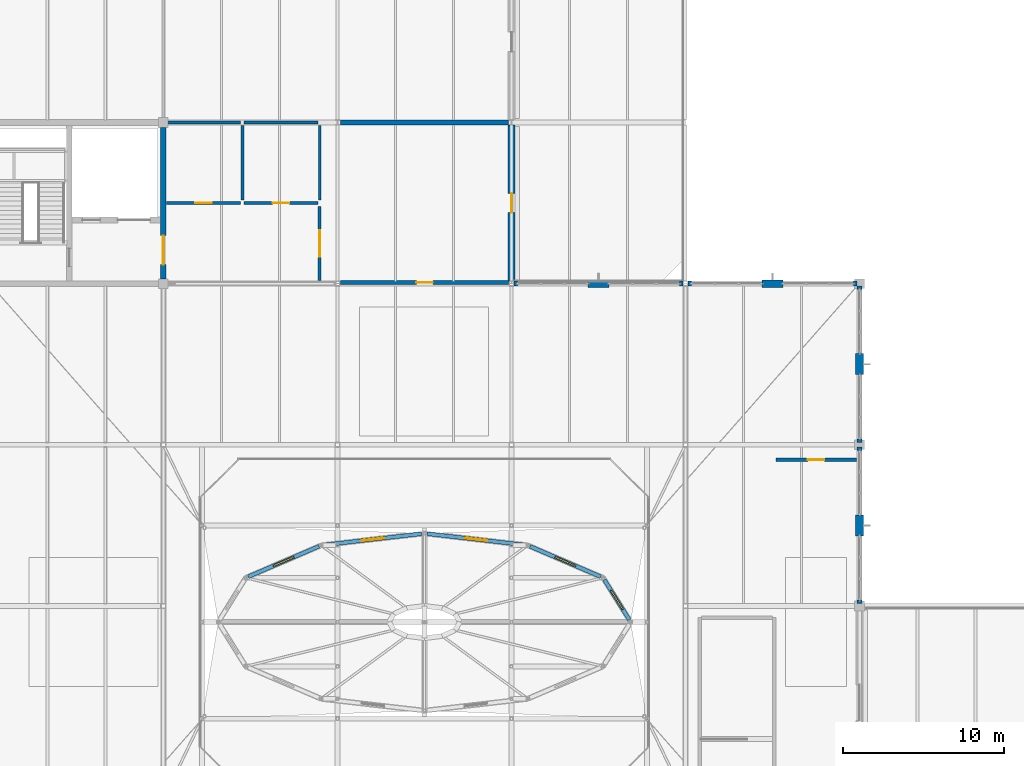
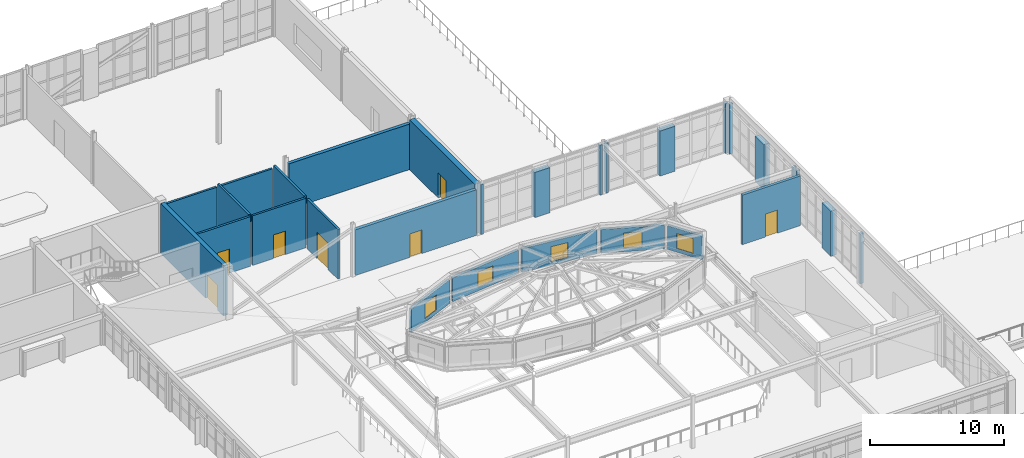
# One storey, part 76 of 86: 29 walls, 7 doors, 5 windows, 12 openings.
"""IFC4 building model written with IfcOpenShell, lengths in metres."""

from ifc_helpers import new_model, si_unit, direction, frame, frame_2d, origin, place, context, subcontext, project, spatial, rectangle, extrude, material, layer, layer_set, type_object, element, fill, save


model = new_model("IFC4")

# Units and contexts
model_context = context("Model", 3, precision=1e-05, world=origin(), true_north=direction((0.0, 1.0)))
body_context = subcontext(model_context, "Body", "Model", "MODEL_VIEW")
ifc_project = project(units=[si_unit("LENGTHUNIT", "METRE"), si_unit("AREAUNIT", "SQUARE_METRE"), si_unit("VOLUMEUNIT", "CUBIC_METRE"), si_unit("PLANEANGLEUNIT", "RADIAN"), si_unit("MASSUNIT", "GRAM", prefix="KILO")], contexts=[model_context])

# Site, building, storey
site_placement = place(None, origin())
site = spatial("IfcSite", under=ifc_project, at=site_placement, CompositionType="ELEMENT")
building_placement = place(site_placement, origin())
building = spatial("IfcBuilding", under=site, at=building_placement, Name="Tasgan Crest Museum", CompositionType="ELEMENT")
storey_placement = place(building_placement, frame((0.0, 0.0, 24.0)))
storey = spatial("IfcBuildingStorey", under=building, at=storey_placement, Name="L04", CompositionType="ELEMENT", Elevation=24.0)

# Wall, opening, door
ifc_material_1 = material(Name="Concrete C40/50", Category="concrete")
ifc_layer_1 = layer(ifc_material_1, 0.35009765625, Name="WL-CORE-350")
ifc_layer_set_1 = layer_set([ifc_layer_1], Name="Concrete C40/50")
wall_type_1 = type_object("IfcWallType", Name="WL-CORE-350", PredefinedType="SHEAR", material=ifc_layer_set_1)
wall_1_placement = place(storey_placement, frame((64.800048828125, 82.300048828125, 0.0), z_axis=(0.0, 0.0, 1.0), x_axis=(0.0, 1.0, 0.0)))
wall_1 = element("IfcWall", 1, at=wall_1_placement, inside=storey, type_object=wall_type_1, Name="North-Central Sawtooth Core east shear wall L04", PredefinedType="SHEAR", context=body_context, shape_type="SweptSolid", body=[
    extrude(rectangle(XDim=9.39990234375, YDim=0.35009765625, at=frame_2d((4.699951171875, 0.0))), origin(), (0.0, 0.0, 1.0), 4.56005859375),
])
opening_1_placement = place(wall_1_placement, frame((0.8798828125, 0.0, 0.0)))
opening_1 = element("IfcOpeningElement", 2, at=opening_1_placement, cuts=wall_1, Name="Opening LD-NC-L04", PredefinedType="OPENING", context=body_context, shape_type="SweptSolid", body=[
    extrude(rectangle(XDim=1.800048828125, YDim=2.25, at=frame_2d((0.89990234375, 1.125))), frame((0.0, 0.18505859375, 0.0), z_axis=(0.0, -1.0, 0.0), x_axis=(1.0, 0.0, 0.0)), (0.0, 0.0, 1.0), 0.3701171875),
])
ifc_material_2 = material(Name="Fire-Rated Double Lobby Door")
door_type_1 = type_object("IfcDoorType", Name="DR-FD2-1800", OperationType="NOTDEFINED", PredefinedType="DOOR", material=ifc_material_2)
door_1_placement = place(opening_1_placement, origin())
door_1 = element("IfcDoor", 3, at=door_1_placement, inside=storey, type_object=door_type_1, Name="North-Central Sawtooth Core lobby door L04", OperationType="DOUBLE_DOOR_SINGLE_SWING", OverallHeight=2.25, OverallWidth=1.800048828125, PredefinedType="DOOR", context=body_context, shape_type="SweptSolid", body=[
    extrude(rectangle(XDim=1.800048828125, YDim=2.25, at=frame_2d((0.89990234375, 1.125))), frame((0.0, 0.02490234375, 0.0), z_axis=(0.0, -1.0, 0.0), x_axis=(1.0, 0.0, 0.0)), (0.0, 0.0, 1.0), 0.050048828125),
])
fill(opening_1, door_1)

# Walls
ifc_material_3 = material(Name="Precast concrete C40/50", Category="concrete")
ifc_layer_2 = layer(ifc_material_3, 0.320068359375, Name="WL-EXT-CLER-320")
ifc_layer_set_2 = layer_set([ifc_layer_2], Name="Precast concrete C40/50")
wall_type_2 = type_object("IfcWallType", Name="WL-EXT-CLER-320", PredefinedType="STANDARD", material=ifc_layer_set_2)
for number, where, z_axis, x_axis, name in (
    (4, (107.85498046875, 82.0, 0.0), (0.0, 0.0, 1.0), (-1.0, 0.0, 0.0), "Curtain wall jamb closure L04 JL"),
    (5, (97.570068359375, 82.0, 0.0), (0.0, 0.0, 1.0), (-1.0, 0.0, 0.0), "Curtain wall jamb closure L04 JR"),
):
    element("IfcWall", number, at=place(storey_placement, frame(where, z_axis=z_axis, x_axis=x_axis)), inside=storey, type_object=wall_type_2, Name=name, PredefinedType="STANDARD", context=body_context, shape_type="SweptSolid", body=[
        extrude(rectangle(XDim=0.22509765625, YDim=0.300048828125, at=frame_2d((0.112548828125, 0.0))), origin(), (0.0, 0.0, 1.0), 4.56005859375),
    ])
wall_2_placement = place(storey_placement, frame((97.054931640625, 82.0, 0.0), z_axis=(0.0, 0.0, 1.0), x_axis=(-1.0, 0.0, 0.0)))
element("IfcWall", 6, at=wall_2_placement, inside=storey, type_object=wall_type_2, Name="Curtain wall jamb closure L04 JL", PredefinedType="STANDARD", context=body_context, shape_type="SweptSolid", body=[
    extrude(rectangle(XDim=0.224853515625, YDim=0.300048828125, at=frame_2d((0.1123046875, 0.0))), origin(), (0.0, 0.0, 1.0), 4.56005859375),
])
for number, where, z_axis, x_axis, name in (
    (7, (86.77001953125, 82.0, 0.0), (0.0, 0.0, 1.0), (-1.0, 0.0, 0.0), "Curtain wall jamb closure L04 JR"),
    (8, (108.0, 62.14501953125, 0.0), (0.0, 0.0, 1.0), (0.0, 1.0, 0.0), "Curtain wall jamb closure L04 JL"),
    (9, (108.0, 71.6298828125, 0.0), (0.0, 0.0, 1.0), (0.0, 1.0, 0.0), "Curtain wall jamb closure L04 JR"),
    (10, (108.0, 72.14501953125, 0.0), (0.0, 0.0, 1.0), (0.0, 1.0, 0.0), "Curtain wall jamb closure L04 JL"),
    (11, (108.0, 81.6298828125, 0.0), (0.0, 0.0, 1.0), (0.0, 1.0, 0.0), "Curtain wall jamb closure L04 JR"),
):
    element("IfcWall", number, at=place(storey_placement, frame(where, z_axis=z_axis, x_axis=x_axis)), inside=storey, type_object=wall_type_2, Name=name, PredefinedType="STANDARD", context=body_context, shape_type="SweptSolid", body=[
        extrude(rectangle(XDim=0.22509765625, YDim=0.300048828125, at=frame_2d((0.112548828125, 0.0))), origin(), (0.0, 0.0, 1.0), 4.56005859375),
    ])

# Wall, opening, window
wall_3_placement = place(storey_placement, frame((93.71533203125, 61.1357421875, 7.840087890625), z_axis=(0.0, 0.0, 1.0), x_axis=(-0.52909704263, 0.848561323347, 0.0)))
wall_3 = element("IfcWall", 12, at=wall_3_placement, inside=storey, type_object=wall_type_2, Name="Rotunda polygonal drum wall 1", PredefinedType="STANDARD", context=body_context, shape_type="SweptSolid", body=[
    extrude(rectangle(XDim=2.9208984375, YDim=0.239990234375, at=frame_2d((1.46044921875, 0.0))), origin(), (0.0, 0.0, 1.0), 2.159912109375),
])
opening_2_placement = place(wall_3_placement, frame((0.760498046875, 0.0, 0.300048828125)))
opening_2 = element("IfcOpeningElement", 13, at=opening_2_placement, cuts=wall_3, Name="Opening W16", PredefinedType="OPENING", context=body_context, shape_type="SweptSolid", body=[
    extrude(rectangle(XDim=1.39990234375, YDim=1.39990234375, at=frame_2d((0.699951171875, 0.699951171875))), frame((0.0, 0.1298828125, 0.0), z_axis=(0.0, -1.0, 0.0), x_axis=(1.0, 0.0, 0.0)), (0.0, 0.0, 1.0), 0.260009765625),
])
ifc_material_4 = material(Name="Thermally Broken Triple-Glazed Aluminium", Category="aluminium")
window_type = type_object("IfcWindowType", Name="WN-OCULUS-1400", PartitioningType="SINGLE_PANEL", PredefinedType="WINDOW", material=ifc_material_4)
window_1_placement = place(opening_2_placement, origin())
window_1 = element("IfcWindow", 14, at=window_1_placement, inside=storey, type_object=window_type, Name="Rotunda oculus clerestory window 1", OverallHeight=1.39990234375, OverallWidth=1.39990234375, PartitioningType="SINGLE_PANEL", PredefinedType="WINDOW", context=body_context, shape_type="SweptSolid", body=[
    extrude(rectangle(XDim=1.39990234375, YDim=1.39990234375, at=frame_2d((0.699951171875, 0.699951171875))), frame((0.0, 0.030029296875, 0.0), z_axis=(0.0, -1.0, 0.0), x_axis=(1.0, 0.0, 0.0)), (0.0, 0.0, 1.0), 0.06005859375),
])
fill(opening_2, window_1)

wall_4_placement = place(storey_placement, frame((91.93798828125, 63.813232421875, 7.840087890625), z_axis=(0.0, 0.0, 1.0), x_axis=(-0.918772047343, 0.394788456039, 0.0)))
wall_4 = element("IfcWall", 15, at=wall_4_placement, inside=storey, type_object=wall_type_2, Name="Rotunda polygonal drum wall 2", PredefinedType="STANDARD", context=body_context, shape_type="SweptSolid", body=[
    extrude(rectangle(XDim=4.779052734375, YDim=0.239990234375, at=frame_2d((2.3896484375, 0.0))), origin(), (0.0, 0.0, 1.0), 2.159912109375),
])
opening_3_placement = place(wall_4_placement, frame((1.689697265625, 0.0, 0.300048828125)))
opening_3 = element("IfcOpeningElement", 16, at=opening_3_placement, cuts=wall_4, Name="Opening W16", PredefinedType="OPENING", context=body_context, shape_type="SweptSolid", body=[
    extrude(rectangle(XDim=1.39990234375, YDim=1.39990234375, at=frame_2d((0.699951171875, 0.699951171875))), frame((0.0, 0.1298828125, 0.0), z_axis=(0.0, -1.0, 0.0), x_axis=(1.0, 0.0, 0.0)), (0.0, 0.0, 1.0), 0.260009765625),
])
window_2_placement = place(opening_3_placement, origin())
window_2 = element("IfcWindow", 17, at=window_2_placement, inside=storey, type_object=window_type, Name="Rotunda oculus clerestory window 2", OverallHeight=1.39990234375, OverallWidth=1.39990234375, PartitioningType="SINGLE_PANEL", PredefinedType="WINDOW", context=body_context, shape_type="SweptSolid", body=[
    extrude(rectangle(XDim=1.39990234375, YDim=1.39990234375, at=frame_2d((0.699951171875, 0.699951171875))), frame((0.0, 0.030029296875, 0.0), z_axis=(0.0, -1.0, 0.0), x_axis=(1.0, 0.0, 0.0)), (0.0, 0.0, 1.0), 0.06005859375),
])
fill(opening_3, window_2)

wall_5_placement = place(storey_placement, frame((87.2412109375, 65.781494140625, 7.840087890625), z_axis=(0.0, 0.0, 1.0), x_axis=(-0.993438765736, 0.114365286402, 0.0)))
wall_5 = element("IfcWall", 18, at=wall_5_placement, inside=storey, type_object=wall_type_2, Name="Rotunda polygonal drum wall 3", PredefinedType="STANDARD", context=body_context, shape_type="SweptSolid", body=[
    extrude(rectangle(XDim=6.12255859375, YDim=0.239990234375, at=frame_2d((3.061279296875, 0.0))), origin(), (0.0, 0.0, 1.0), 2.159912109375),
])
opening_4_placement = place(wall_5_placement, frame((2.361083984375, 0.0, 0.300048828125)))
opening_4 = element("IfcOpeningElement", 19, at=opening_4_placement, cuts=wall_5, Name="Opening W16", PredefinedType="OPENING", context=body_context, shape_type="SweptSolid", body=[
    extrude(rectangle(XDim=1.39990234375, YDim=1.39990234375, at=frame_2d((0.699951171875, 0.699951171875))), frame((0.0, 0.1298828125, 0.0), z_axis=(0.0, -1.0, 0.0), x_axis=(1.0, 0.0, 0.0)), (0.0, 0.0, 1.0), 0.260009765625),
])
window_3_placement = place(opening_4_placement, origin())
window_3 = element("IfcWindow", 20, at=window_3_placement, inside=storey, type_object=window_type, Name="Rotunda oculus clerestory window 3", OverallHeight=1.39990234375, OverallWidth=1.39990234375, PartitioningType="SINGLE_PANEL", PredefinedType="WINDOW", context=body_context, shape_type="SweptSolid", body=[
    extrude(rectangle(XDim=1.39990234375, YDim=1.39990234375, at=frame_2d((0.699951171875, 0.699951171875))), frame((0.0, 0.030029296875, 0.0), z_axis=(0.0, -1.0, 0.0), x_axis=(1.0, 0.0, 0.0)), (0.0, 0.0, 1.0), 0.06005859375),
])
fill(opening_4, window_3)

wall_6_placement = place(storey_placement, frame((80.841064453125, 66.481689453125, 7.840087890625), z_axis=(0.0, 0.0, 1.0), x_axis=(-0.993438765736, -0.114365286402, 0.0)))
wall_6 = element("IfcWall", 21, at=wall_6_placement, inside=storey, type_object=wall_type_2, Name="Rotunda polygonal drum wall 4", PredefinedType="STANDARD", context=body_context, shape_type="SweptSolid", body=[
    extrude(rectangle(XDim=6.12255859375, YDim=0.239990234375, at=frame_2d((3.061279296875, 0.0))), origin(), (0.0, 0.0, 1.0), 2.159912109375),
])
opening_5_placement = place(wall_6_placement, frame((2.361083984375, 0.0, 0.300048828125)))
opening_5 = element("IfcOpeningElement", 22, at=opening_5_placement, cuts=wall_6, Name="Opening W16", PredefinedType="OPENING", context=body_context, shape_type="SweptSolid", body=[
    extrude(rectangle(XDim=1.39990234375, YDim=1.39990234375, at=frame_2d((0.699951171875, 0.699951171875))), frame((0.0, 0.1298828125, 0.0), z_axis=(0.0, -1.0, 0.0), x_axis=(1.0, 0.0, 0.0)), (0.0, 0.0, 1.0), 0.260009765625),
])
window_4_placement = place(opening_5_placement, origin())
window_4 = element("IfcWindow", 23, at=window_4_placement, inside=storey, type_object=window_type, Name="Rotunda oculus clerestory window 4", OverallHeight=1.39990234375, OverallWidth=1.39990234375, PartitioningType="SINGLE_PANEL", PredefinedType="WINDOW", context=body_context, shape_type="SweptSolid", body=[
    extrude(rectangle(XDim=1.39990234375, YDim=1.39990234375, at=frame_2d((0.699951171875, 0.699951171875))), frame((0.0, 0.030029296875, 0.0), z_axis=(0.0, -1.0, 0.0), x_axis=(1.0, 0.0, 0.0)), (0.0, 0.0, 1.0), 0.06005859375),
])
fill(opening_5, window_4)

wall_7_placement = place(storey_placement, frame((74.452880859375, 65.699951171875, 7.840087890625), z_axis=(0.0, 0.0, 1.0), x_axis=(-0.918772047343, -0.394788456039, 0.0)))
wall_7 = element("IfcWall", 24, at=wall_7_placement, inside=storey, type_object=wall_type_2, Name="Rotunda polygonal drum wall 5", PredefinedType="STANDARD", context=body_context, shape_type="SweptSolid", body=[
    extrude(rectangle(XDim=4.779052734375, YDim=0.239990234375, at=frame_2d((2.3896484375, 0.0))), origin(), (0.0, 0.0, 1.0), 2.159912109375),
])
opening_6_placement = place(wall_7_placement, frame((1.689697265625, 0.0, 0.300048828125)))
opening_6 = element("IfcOpeningElement", 25, at=opening_6_placement, cuts=wall_7, Name="Opening W16", PredefinedType="OPENING", context=body_context, shape_type="SweptSolid", body=[
    extrude(rectangle(XDim=1.39990234375, YDim=1.39990234375, at=frame_2d((0.699951171875, 0.699951171875))), frame((0.0, 0.1298828125, 0.0), z_axis=(0.0, -1.0, 0.0), x_axis=(1.0, 0.0, 0.0)), (0.0, 0.0, 1.0), 0.260009765625),
])
window_5_placement = place(opening_6_placement, origin())
window_5 = element("IfcWindow", 26, at=window_5_placement, inside=storey, type_object=window_type, Name="Rotunda oculus clerestory window 5", OverallHeight=1.39990234375, OverallWidth=1.39990234375, PartitioningType="SINGLE_PANEL", PredefinedType="WINDOW", context=body_context, shape_type="SweptSolid", body=[
    extrude(rectangle(XDim=1.39990234375, YDim=1.39990234375, at=frame_2d((0.699951171875, 0.699951171875))), frame((0.0, 0.030029296875, 0.0), z_axis=(0.0, -1.0, 0.0), x_axis=(1.0, 0.0, 0.0)), (0.0, 0.0, 1.0), 0.06005859375),
])
fill(opening_6, window_5)

# Walls
ifc_material_5 = material(Name="Precast concrete C40/50", Category="concrete")
ifc_layer_3 = layer(ifc_material_5, 0.47998046875, Name="WL-EXT-GRAN-480")
ifc_layer_set_3 = layer_set([ifc_layer_3], Name="Precast concrete C40/50")
wall_type_3 = type_object("IfcWallType", Name="WL-EXT-GRAN-480", PredefinedType="STANDARD", material=ifc_layer_set_3)
for number, where, z_axis, x_axis, name in (
    (27, (103.25, 82.0, 0.0), (0.0, 0.0, 1.0), (-1.0, 0.0, 0.0), "Postmodern facade stone pier L04"),
    (28, (92.449951171875, 82.0, 0.0), (0.0, 0.0, 1.0), (-1.0, 0.0, 0.0), "Postmodern facade stone pier L04"),
):
    element("IfcWall", number, at=place(storey_placement, frame(where, z_axis=z_axis, x_axis=x_axis)), inside=storey, type_object=wall_type_3, Name=name, PredefinedType="STANDARD", context=body_context, shape_type="SweptSolid", body=[
        extrude(rectangle(XDim=1.300048828125, YDim=0.47998046875, at=frame_2d((0.64990234375, 0.0))), origin(), (0.0, 0.0, 1.0), 4.10888671875),
    ])
for number, where, z_axis, x_axis, name in (
    (29, (108.0, 66.35009765625, 0.0), (0.0, 0.0, 1.0), (0.0, 1.0, 0.0), "Postmodern facade stone pier L04"),
    (30, (108.0, 76.35009765625, 0.0), (0.0, 0.0, 1.0), (0.0, 1.0, 0.0), "Postmodern facade stone pier L04"),
):
    element("IfcWall", number, at=place(storey_placement, frame(where, z_axis=z_axis, x_axis=x_axis)), inside=storey, type_object=wall_type_3, Name=name, PredefinedType="STANDARD", context=body_context, shape_type="SweptSolid", body=[
        extrude(rectangle(XDim=1.2998046875, YDim=0.47998046875, at=frame_2d((0.64990234375, 0.0))), origin(), (0.0, 0.0, 1.0), 4.10888671875),
    ])

# Wall, opening, door
ifc_material_6 = material(Name="Precast concrete C40/50", Category="concrete")
ifc_layer_4 = layer(ifc_material_6, 0.449951171875, Name="WL-EXT-LIME-450")
ifc_layer_set_4 = layer_set([ifc_layer_4], Name="Precast concrete C40/50")
wall_type_4 = type_object("IfcWallType", Name="WL-EXT-LIME-450", PredefinedType="STANDARD", material=ifc_layer_set_4)
wall_8_placement = place(storey_placement, frame((86.39990234375, 82.14501953125, 0.0), z_axis=(0.0, 0.0, 1.0), x_axis=(0.0, 1.0, 0.0)))
wall_8 = element("IfcWall", 31, at=wall_8_placement, inside=storey, type_object=wall_type_4, Name="Exterior wall L04 (86.4,87.0)", PredefinedType="STANDARD", context=body_context, shape_type="SweptSolid", body=[
    extrude(rectangle(XDim=9.7099609375, YDim=0.449951171875, at=frame_2d((4.85498046875, 0.0))), origin(), (0.0, 0.0, 1.0), 4.56005859375),
])
opening_7_placement = place(wall_8_placement, frame((4.2548828125, 0.0, 0.0)))
opening_7 = element("IfcOpeningElement", 32, at=opening_7_placement, cuts=wall_8, Name="Opening ED017", PredefinedType="OPENING", context=body_context, shape_type="SweptSolid", body=[
    extrude(rectangle(XDim=1.199951171875, YDim=2.300048828125, at=frame_2d((0.60009765625, 1.14990234375))), frame((0.0, 0.23486328125, 0.0), z_axis=(0.0, -1.0, 0.0), x_axis=(1.0, 0.0, 0.0)), (0.0, 0.0, 1.0), 0.469970703125),
])
ifc_material_7 = material(Name="Thermally Broken Insulated Steel and Bronze", Category="steel")
door_type_2 = type_object("IfcDoorType", Name="DR-TERR-SGL-1200", OperationType="NOTDEFINED", PredefinedType="DOOR", material=ifc_material_7)
door_2_placement = place(opening_7_placement, frame((1.199951171875, 0.0, 0.0), z_axis=(0.0, 0.0, 1.0), x_axis=(-1.0, 0.0, 0.0)))
door_2 = element("IfcDoor", 33, at=door_2_placement, inside=storey, type_object=door_type_2, Name="North sculpture terrace access door ED017", OperationType="SINGLE_SWING_RIGHT", OverallHeight=2.300048828125, OverallWidth=1.199951171875, PredefinedType="DOOR", context=body_context, shape_type="SweptSolid", body=[
    extrude(rectangle(XDim=1.199951171875, YDim=2.300048828125, at=frame_2d((0.60009765625, 1.14990234375))), frame((0.0, 0.02490234375, 0.0), z_axis=(0.0, -1.0, 0.0), x_axis=(1.0, 0.0, 0.0)), (0.0, 0.0, 1.0), 0.050048828125),
])
fill(opening_7, door_2)

ifc_material_8 = material(Name="Sanitary Plumbing Chase Wall")
ifc_layer_5 = layer(ifc_material_8, 0.179931640625, Name="WL-PLUMB-180")
ifc_layer_set_5 = layer_set([ifc_layer_5], Name="Sanitary Plumbing Chase Wall")
wall_type_5 = type_object("IfcWallType", Name="WL-PLUMB-180", PredefinedType="PLUMBINGWALL", material=ifc_layer_set_5)
wall_9_placement = place(storey_placement, frame((64.97998046875, 87.0, 0.0), z_axis=(0.0, 0.0, 1.0), x_axis=(1.0, 0.0, 0.0)))
wall_9 = element("IfcWall", 34, at=wall_9_placement, inside=storey, type_object=wall_type_5, Name="Partition Fourth Floor Terrace Vestibule Corridor / Fourth Floor Public WC L04", PredefinedType="PLUMBINGWALL", context=body_context, shape_type="SweptSolid", body=[
    extrude(rectangle(XDim=4.6201171875, YDim=0.179931640625, at=frame_2d((2.31005859375, 0.0))), origin(), (0.0, 0.0, 1.0), 4.52001953125),
])
opening_8_placement = place(wall_9_placement, frame((1.800048828125, 0.0, 0.0)))
opening_8 = element("IfcOpeningElement", 35, at=opening_8_placement, cuts=wall_9, Name="Opening D088", PredefinedType="OPENING", context=body_context, shape_type="SweptSolid", body=[
    extrude(rectangle(XDim=1.02001953125, YDim=2.199951171875, at=frame_2d((0.510009765625, 1.10009765625))), frame((0.0, 0.099853515625, 0.0), z_axis=(0.0, -1.0, 0.0), x_axis=(1.0, 0.0, 0.0)), (0.0, 0.0, 1.0), 0.199951171875),
])
ifc_material_9 = material(Name="Oak and Brushed Bronze Acoustic Door")
door_type_3 = type_object("IfcDoorType", Name="DR-SCH-04", OperationType="NOTDEFINED", PredefinedType="DOOR", material=ifc_material_9)
door_3_placement = place(opening_8_placement, origin())
door_3 = element("IfcDoor", 36, at=door_3_placement, inside=storey, type_object=door_type_3, Name="Fourth Floor Public WC door D088", OperationType="SINGLE_SWING_RIGHT", OverallHeight=2.199951171875, OverallWidth=1.02001953125, PredefinedType="DOOR", context=body_context, shape_type="SweptSolid", body=[
    extrude(rectangle(XDim=1.02001953125, YDim=2.199951171875, at=frame_2d((0.510009765625, 1.10009765625))), frame((0.0, 0.02490234375, 0.0), z_axis=(0.0, -1.0, 0.0), x_axis=(1.0, 0.0, 0.0)), (0.0, 0.0, 1.0), 0.050048828125),
])
fill(opening_8, door_3)

wall_10_placement = place(storey_placement, frame((69.800048828125, 87.0, 0.0), z_axis=(0.0, 0.0, 1.0), x_axis=(1.0, 0.0, 0.0)))
wall_10 = element("IfcWall", 37, at=wall_10_placement, inside=storey, type_object=wall_type_5, Name="Partition Fourth Floor Terrace Vestibule Corridor / Fourth Floor Accessible WC L04", PredefinedType="PLUMBINGWALL", context=body_context, shape_type="SweptSolid", body=[
    extrude(rectangle(XDim=4.599853515625, YDim=0.179931640625, at=frame_2d((2.2998046875, 0.0))), origin(), (0.0, 0.0, 1.0), 4.52001953125),
])
opening_9_placement = place(wall_10_placement, frame((1.77490234375, 0.0, 0.0)))
opening_9 = element("IfcOpeningElement", 38, at=opening_9_placement, cuts=wall_10, Name="Opening D089", PredefinedType="OPENING", context=body_context, shape_type="SweptSolid", body=[
    extrude(rectangle(XDim=1.050048828125, YDim=2.14990234375, at=frame_2d((0.52490234375, 1.074951171875))), frame((0.0, 0.099853515625, 0.0), z_axis=(0.0, -1.0, 0.0), x_axis=(1.0, 0.0, 0.0)), (0.0, 0.0, 1.0), 0.199951171875),
])
ifc_material_10 = material(Name="Accessible WC Outward-Opening Door")
door_type_4 = type_object("IfcDoorType", Name="DR-WC-ACC-1050", OperationType="NOTDEFINED", PredefinedType="DOOR", material=ifc_material_10)
door_4_placement = place(opening_9_placement, origin())
door_4 = element("IfcDoor", 39, at=door_4_placement, inside=storey, type_object=door_type_4, Name="Fourth Floor Accessible WC door D089", OperationType="SINGLE_SWING_LEFT", OverallHeight=2.14990234375, OverallWidth=1.050048828125, PredefinedType="DOOR", context=body_context, shape_type="SweptSolid", body=[
    extrude(rectangle(XDim=1.050048828125, YDim=2.14990234375, at=frame_2d((0.52490234375, 1.074951171875))), frame((0.0, 0.02490234375, 0.0), z_axis=(0.0, -1.0, 0.0), x_axis=(1.0, 0.0, 0.0)), (0.0, 0.0, 1.0), 0.050048828125),
])
fill(opening_9, door_4)

# Walls
wall_11_placement = place(storey_placement, frame((64.97998046875, 92.0, 0.0), z_axis=(0.0, 0.0, 1.0), x_axis=(1.0, 0.0, 0.0)))
element("IfcWall", 40, at=wall_11_placement, inside=storey, type_object=wall_type_5, Name="Partition Fourth Floor Public WC / Rare Natural-History Reading Room L04", PredefinedType="PLUMBINGWALL", context=body_context, shape_type="SweptSolid", body=[
    extrude(rectangle(XDim=4.6201171875, YDim=0.179931640625, at=frame_2d((2.31005859375, 0.0))), origin(), (0.0, 0.0, 1.0), 4.169921875),
])
wall_12_placement = place(storey_placement, frame((69.800048828125, 92.0, 0.0), z_axis=(0.0, 0.0, 1.0), x_axis=(1.0, 0.0, 0.0)))
element("IfcWall", 41, at=wall_12_placement, inside=storey, type_object=wall_type_5, Name="Partition Fourth Floor Accessible WC / Rare Natural-History Reading Room L04", PredefinedType="PLUMBINGWALL", context=body_context, shape_type="SweptSolid", body=[
    extrude(rectangle(XDim=4.599853515625, YDim=0.179931640625, at=frame_2d((2.2998046875, 0.0))), origin(), (0.0, 0.0, 1.0), 4.169921875),
])
for number, where, z_axis, x_axis, name in (
    (42, (69.699951171875, 87.199951171875, 0.0), (0.0, 0.0, 1.0), (0.0, 1.0, 0.0), "Partition Fourth Floor Public WC / Fourth Floor Accessible WC L04"),
    (43, (74.5, 87.199951171875, 0.0), (0.0, 0.0, 1.0), (0.0, 1.0, 0.0), "Partition Fourth Floor Accessible WC / North Sculpture Terrace Gallery L04"),
):
    element("IfcWall", number, at=place(storey_placement, frame(where, z_axis=z_axis, x_axis=x_axis)), inside=storey, type_object=wall_type_5, Name=name, PredefinedType="PLUMBINGWALL", context=body_context, shape_type="SweptSolid", body=[
        extrude(rectangle(XDim=4.6201171875, YDim=0.179931640625, at=frame_2d((2.31005859375, 0.0))), origin(), (0.0, 0.0, 1.0), 4.52001953125),
    ])

# Wall, opening, door
ifc_material_11 = material(Name="Gypsum Acoustic Museum Partition")
ifc_layer_6 = layer(ifc_material_11, 0.18994140625, Name="WL-SCH-05")
ifc_layer_set_6 = layer_set([ifc_layer_6], Name="Gypsum Acoustic Museum Partition")
wall_type_6 = type_object("IfcWallType", Name="WL-SCH-05", PredefinedType="PARTITIONING", material=ifc_layer_set_6)
wall_13_placement = place(storey_placement, frame((74.5, 82.179931640625, 0.0), z_axis=(0.0, 0.0, 1.0), x_axis=(0.0, 1.0, 0.0)))
wall_13 = element("IfcWall", 44, at=wall_13_placement, inside=storey, type_object=wall_type_6, Name="Partition Fourth Floor Terrace Vestibule Corridor / North Sculpture Terrace Gallery L04", PredefinedType="PARTITIONING", context=body_context, shape_type="SweptSolid", body=[
    extrude(rectangle(XDim=4.6201171875, YDim=0.18994140625, at=frame_2d((2.31005859375, 0.0))), origin(), (0.0, 0.0, 1.0), 4.52001953125),
])
opening_10_placement = place(wall_13_placement, frame((1.485107421875, 0.0, 0.0)))
opening_10 = element("IfcOpeningElement", 45, at=opening_10_placement, cuts=wall_13, Name="Opening D095", PredefinedType="OPENING", context=body_context, shape_type="SweptSolid", body=[
    extrude(rectangle(XDim=1.64990234375, YDim=2.39990234375, at=frame_2d((0.824951171875, 1.199951171875))), frame((0.0, 0.10498046875, 0.0), z_axis=(0.0, -1.0, 0.0), x_axis=(1.0, 0.0, 0.0)), (0.0, 0.0, 1.0), 0.2099609375),
])
ifc_material_12 = material(Name="Oak and Brushed Bronze Acoustic Door")
door_type_5 = type_object("IfcDoorType", Name="DR-SCH-11", OperationType="NOTDEFINED", PredefinedType="DOOR", material=ifc_material_12)
door_5_placement = place(opening_10_placement, origin())
door_5 = element("IfcDoor", 46, at=door_5_placement, inside=storey, type_object=door_type_5, Name="North Sculpture Terrace Gallery door D095", OperationType="SINGLE_SWING_LEFT", OverallHeight=2.39990234375, OverallWidth=1.64990234375, PredefinedType="DOOR", context=body_context, shape_type="SweptSolid", body=[
    extrude(rectangle(XDim=1.64990234375, YDim=2.39990234375, at=frame_2d((0.824951171875, 1.199951171875))), frame((0.0, 0.02490234375, 0.0), z_axis=(0.0, -1.0, 0.0), x_axis=(1.0, 0.0, 0.0)), (0.0, 0.0, 1.0), 0.050048828125),
])
fill(opening_10, door_5)

ifc_material_13 = material(Name="Gypsum Acoustic Museum Partition")
ifc_layer_7 = layer(ifc_material_13, 0.22998046875, Name="WL-SCH-07")
ifc_layer_set_7 = layer_set([ifc_layer_7], Name="Gypsum Acoustic Museum Partition")
wall_type_7 = type_object("IfcWallType", Name="WL-SCH-07", PredefinedType="PARTITIONING", material=ifc_layer_set_7)
wall_14_placement = place(storey_placement, frame((102.800048828125, 71.074951171875, 0.0), z_axis=(0.0, 0.0, 1.0), x_axis=(1.0, 0.0, 0.0)))
wall_14 = element("IfcWall", 47, at=wall_14_placement, inside=storey, type_object=wall_type_7, Name="Partition Lantern North Concourse / East Steppe Terrace Pavilion L04", PredefinedType="PARTITIONING", context=body_context, shape_type="SweptSolid", body=[
    extrude(rectangle(XDim=5.02001953125, YDim=0.22998046875, at=frame_2d((2.510009765625, 0.0))), origin(), (0.0, 0.0, 1.0), 4.52001953125),
])
opening_11_placement = place(wall_14_placement, frame((2.0, 0.0, 0.0)))
opening_11 = element("IfcOpeningElement", 48, at=opening_11_placement, cuts=wall_14, Name="Opening D085", PredefinedType="OPENING", context=body_context, shape_type="SweptSolid", body=[
    extrude(rectangle(XDim=1.02001953125, YDim=2.10009765625, at=frame_2d((0.510009765625, 1.050048828125))), frame((0.0, 0.125, 0.0), z_axis=(0.0, -1.0, 0.0), x_axis=(1.0, 0.0, 0.0)), (0.0, 0.0, 1.0), 0.25),
])
ifc_material_14 = material(Name="Oak and Brushed Bronze Acoustic Door")
door_type_6 = type_object("IfcDoorType", Name="DR-SCH-01", OperationType="NOTDEFINED", PredefinedType="DOOR", material=ifc_material_14)
door_6_placement = place(opening_11_placement, origin())
door_6 = element("IfcDoor", 49, at=door_6_placement, inside=storey, type_object=door_type_6, Name="East Steppe Terrace Pavilion door D085", OperationType="SINGLE_SWING_LEFT", OverallHeight=2.10009765625, OverallWidth=1.02001953125, PredefinedType="DOOR", context=body_context, shape_type="SweptSolid", body=[
    extrude(rectangle(XDim=1.02001953125, YDim=2.10009765625, at=frame_2d((0.510009765625, 1.050048828125))), frame((0.0, 0.02490234375, 0.0), z_axis=(0.0, -1.0, 0.0), x_axis=(1.0, 0.0, 0.0)), (0.0, 0.0, 1.0), 0.050048828125),
])
fill(opening_11, door_6)

ifc_material_15 = material(Name="Gypsum Acoustic Museum Partition")
ifc_layer_8 = layer(ifc_material_15, 0.27001953125, Name="WL-SCH-08")
ifc_layer_set_8 = layer_set([ifc_layer_8], Name="Gypsum Acoustic Museum Partition")
wall_type_8 = type_object("IfcWallType", Name="WL-SCH-08", PredefinedType="PARTITIONING", material=ifc_layer_set_8)
wall_15_placement = place(storey_placement, frame((75.800048828125, 82.074951171875, 0.0), z_axis=(0.0, 0.0, 1.0), x_axis=(1.0, 0.0, 0.0)))
wall_15 = element("IfcWall", 50, at=wall_15_placement, inside=storey, type_object=wall_type_8, Name="Partition Lantern North Concourse / North Sculpture Terrace Gallery L04", PredefinedType="PARTITIONING", context=body_context, shape_type="SweptSolid", body=[
    extrude(rectangle(XDim=10.419921875, YDim=0.27001953125, at=frame_2d((5.2099609375, 0.0))), origin(), (0.0, 0.0, 1.0), 4.159912109375),
])
opening_12_placement = place(wall_15_placement, frame((4.699951171875, 0.0, 0.0)))
opening_12 = element("IfcOpeningElement", 51, at=opening_12_placement, cuts=wall_15, Name="Opening D086", PredefinedType="OPENING", context=body_context, shape_type="SweptSolid", body=[
    extrude(rectangle(XDim=1.02001953125, YDim=2.14990234375, at=frame_2d((0.510009765625, 1.074951171875))), frame((0.0, 0.14501953125, 0.0), z_axis=(0.0, -1.0, 0.0), x_axis=(1.0, 0.0, 0.0)), (0.0, 0.0, 1.0), 0.2900390625),
])
ifc_material_16 = material(Name="Oak and Brushed Bronze Acoustic Door")
door_type_7 = type_object("IfcDoorType", Name="DR-SCH-02", OperationType="NOTDEFINED", PredefinedType="DOOR", material=ifc_material_16)
door_7_placement = place(opening_12_placement, origin())
door_7 = element("IfcDoor", 52, at=door_7_placement, inside=storey, type_object=door_type_7, Name="North Sculpture Terrace Gallery door D086", OperationType="SINGLE_SWING_RIGHT", OverallHeight=2.14990234375, OverallWidth=1.02001953125, PredefinedType="DOOR", context=body_context, shape_type="SweptSolid", body=[
    extrude(rectangle(XDim=1.02001953125, YDim=2.14990234375, at=frame_2d((0.510009765625, 1.074951171875))), frame((0.0, 0.02490234375, 0.0), z_axis=(0.0, -1.0, 0.0), x_axis=(1.0, 0.0, 0.0)), (0.0, 0.0, 1.0), 0.050048828125),
])
fill(opening_12, door_7)

# Wall
ifc_material_17 = material(Name="Gypsum Acoustic Museum Partition")
ifc_layer_9 = layer(ifc_material_17, 0.2900390625, Name="WL-SCH-09")
ifc_layer_set_9 = layer_set([ifc_layer_9], Name="Gypsum Acoustic Museum Partition")
wall_type_9 = type_object("IfcWallType", Name="WL-SCH-09", PredefinedType="PARTITIONING", material=ifc_layer_set_9)
wall_16_placement = place(storey_placement, frame((75.800048828125, 92.0, 0.0), z_axis=(0.0, 0.0, 1.0), x_axis=(1.0, 0.0, 0.0)))
element("IfcWall", 53, at=wall_16_placement, inside=storey, type_object=wall_type_9, Name="Partition North Sculpture Terrace Gallery / Rare Natural-History Reading Room L04", PredefinedType="PARTITIONING", context=body_context, shape_type="SweptSolid", body=[
    extrude(rectangle(XDim=10.419921875, YDim=0.2900390625, at=frame_2d((5.2099609375, 0.0))), origin(), (0.0, 0.0, 1.0), 4.159912109375),
])

save(model, "model.ifc")
